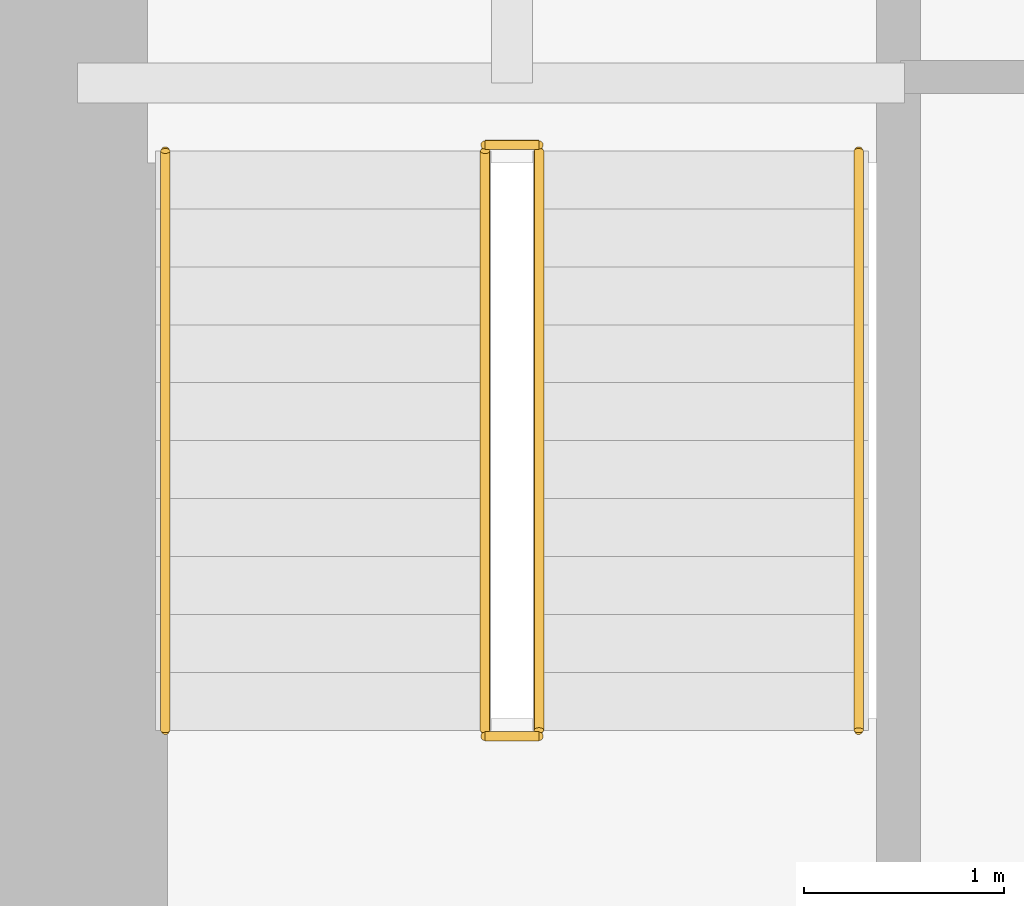
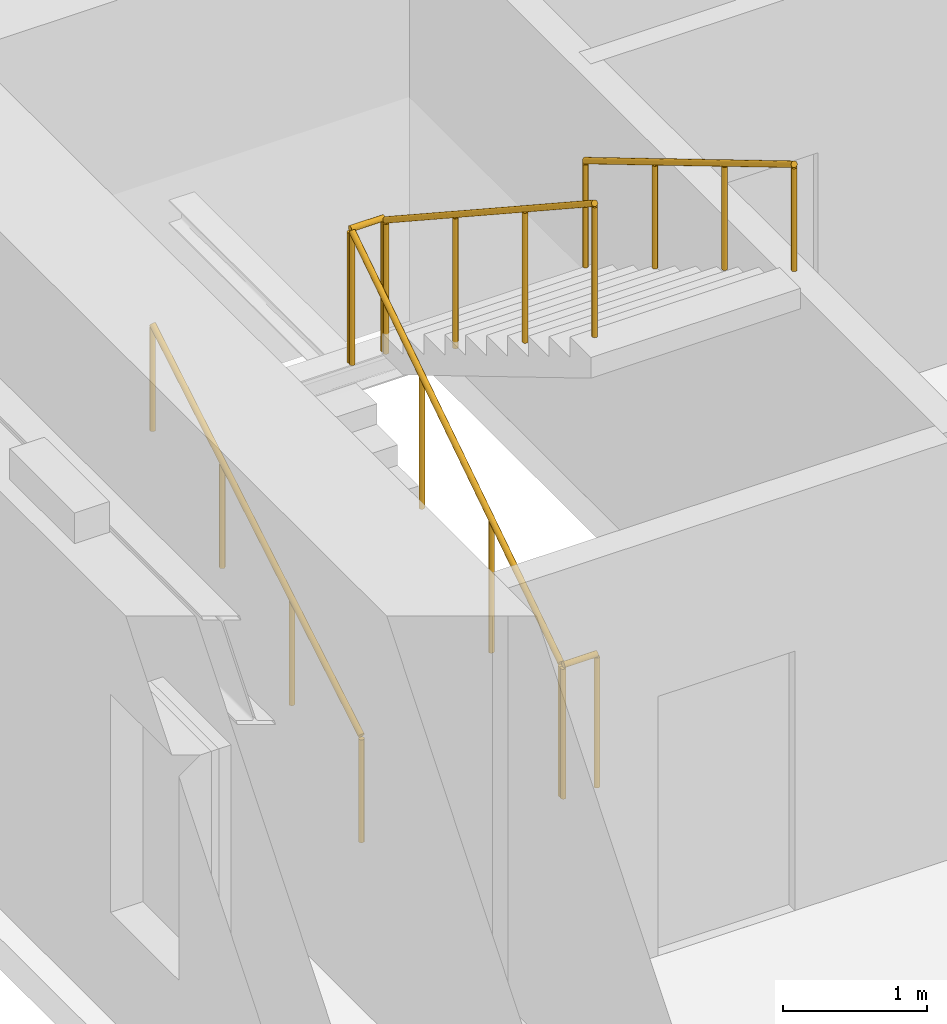
# One storey, part 12 of 14: 6 railings.
"""IFC4 building model written with IfcOpenShell, lengths in metres."""

from ifc_helpers import new_model, si_unit, direction, frame, origin, origin_2d, place, context, subcontext, project, spatial, circle, extrude, material, type_object, element, save


model = new_model("IFC4")

# Units and contexts
model_context = context("Model", 3, precision=1e-05, world=origin(), true_north=direction((0.0, 1.0)))
body_context = subcontext(model_context, "Body", "Model", "MODEL_VIEW")
ifc_project = project(units=[si_unit("LENGTHUNIT", "METRE"), si_unit("AREAUNIT", "SQUARE_METRE"), si_unit("VOLUMEUNIT", "CUBIC_METRE"), si_unit("PLANEANGLEUNIT", "RADIAN"), si_unit("MASSUNIT", "GRAM", prefix="KILO")], contexts=[model_context])

# Site, building, storey
site_placement = place(None, origin())
site = spatial("IfcSite", under=ifc_project, at=site_placement, CompositionType="ELEMENT")
building_placement = place(site_placement, origin())
building = spatial("IfcBuilding", under=site, at=building_placement, Name="Norrvale University Quadrangle", CompositionType="ELEMENT")
storey_placement = place(building_placement, frame((0.0, 0.0, 24.199951171875)))
storey = spatial("IfcBuildingStorey", under=building, at=storey_placement, Name="L05", CompositionType="ELEMENT", Elevation=24.199951171875)

# Railings
ifc_material_1 = material(Name="Steel 350W Painted Balustrade", Category="steel")
railing_type_1 = type_object("IfcRailingType", Name="Railing Stair Guard 1100", PredefinedType="GUARDRAIL", material=ifc_material_1)
for number, where, name in (
    (1, (4.239990234375, 42.02001953125, 0.0), "Stair Floor Well Guard ST-02 L05"),
    (2, (4.239990234375, 44.97998046875, 1.900146484375), "Stair Mid-Landing Slot Guard ST-02 L05"),
):
    element("IfcRailing", number, at=place(storey_placement, frame(where)), inside=storey, type_object=railing_type_1, Name=name, PredefinedType="GUARDRAIL", context=body_context, shape_type="SweptSolid", body=[
        extrude(circle(Radius=0.02392578125, at=origin_2d()), frame((0.0, 0.0, 1.1259765625), z_axis=(1.0, 0.0, 0.0), x_axis=(0.0, 1.0, 0.0)), (0.0, 0.0, 1.0), 0.27001953125),
        extrude(circle(Radius=0.02099609375, at=origin_2d()), origin(), (0.0, 0.0, 1.0), 1.101806640625),
        extrude(circle(Radius=0.02099609375, at=origin_2d()), frame((0.27001953125, 0.0, 0.0)), (0.0, 0.0, 1.0), 1.101806640625),
    ])
railing_1_placement = place(storey_placement, frame((4.239990234375, 42.050048828125, 0.0)))
element("IfcRailing", 3, at=railing_1_placement, inside=storey, type_object=railing_type_1, Name="Stair Lower Flight Inner Guard ST-02 L05", PredefinedType="GUARDRAIL", context=body_context, shape_type="SweptSolid", body=[
    extrude(circle(Radius=0.02392578125, at=origin_2d()), frame((0.0, 0.0, 1.1259765625), z_axis=(0.0, 0.836433300813, 0.548068730445), x_axis=(-1.0, 0.0, 0.0)), (0.0, 0.0, 1.0), 3.467041015625),
    extrude(circle(Radius=0.02099609375, at=origin_2d()), origin(), (0.0, 0.0, 1.0), 1.101806640625),
    extrude(circle(Radius=0.02099609375, at=origin_2d()), frame((0.0, 0.966552734375, 0.63330078125)), (0.0, 0.0, 1.0), 1.101806640625),
    extrude(circle(Radius=0.02099609375, at=origin_2d()), frame((0.0, 1.933349609375, 1.266845703125)), (0.0, 0.0, 1.0), 1.101806640625),
    extrude(circle(Radius=0.02099609375, at=origin_2d()), frame((0.0, 2.89990234375, 1.900146484375)), (0.0, 0.0, 1.0), 1.101806640625),
])
railing_2_placement = place(storey_placement, frame((4.510009765625, 44.949951171875, 1.900146484375)))
element("IfcRailing", 4, at=railing_2_placement, inside=storey, type_object=railing_type_1, Name="Stair Upper Flight Inner Guard ST-02 L05", PredefinedType="GUARDRAIL", context=body_context, shape_type="SweptSolid", body=[
    extrude(circle(Radius=0.02392578125, at=origin_2d()), frame((0.0, 0.0, 1.1259765625), z_axis=(0.0, -0.836465582154, 0.548019461216), x_axis=(1.0, 0.0, 0.0)), (0.0, 0.0, 1.0), 3.466796875),
    extrude(circle(Radius=0.02099609375, at=origin_2d()), origin(), (0.0, 0.0, 1.0), 1.101806640625),
    extrude(circle(Radius=0.02099609375, at=origin_2d()), frame((0.0, -0.966552734375, 0.63330078125)), (0.0, 0.0, 1.0), 1.101806640625),
    extrude(circle(Radius=0.02099609375, at=origin_2d()), frame((0.0, -1.933349609375, 1.2666015625)), (0.0, 0.0, 1.0), 1.101806640625),
    extrude(circle(Radius=0.02099609375, at=origin_2d()), frame((0.0, -2.89990234375, 1.89990234375)), (0.0, 0.0, 1.0), 1.101806640625),
])
ifc_material_2 = material(Name="Stainless Steel 316L Handrail", Category="steel")
railing_type_2 = type_object("IfcRailingType", Name="Railing Stair Handrail 920", PredefinedType="HANDRAIL", material=ifc_material_2)
railing_3_placement = place(storey_placement, frame((2.639892578125, 42.050048828125, 0.1728515625)))
element("IfcRailing", 5, at=railing_3_placement, inside=storey, type_object=railing_type_2, Name="Stair Lower Flight Handrail ST-02 L05", PredefinedType="HANDRAIL", context=body_context, shape_type="SweptSolid", body=[
    extrude(circle(Radius=0.02392578125, at=origin_2d()), frame((0.0, 0.0, 0.89599609375), z_axis=(0.0, 0.859141464434, 0.511738159696), x_axis=(-1.0, 0.0, 0.0)), (0.0, 0.0, 1.0), 3.375244140625),
    extrude(circle(Radius=0.02099609375, at=origin_2d()), origin(), (0.0, 0.0, 1.0), 0.871826171875),
    extrude(circle(Radius=0.02099609375, at=origin_2d()), frame((0.0, 0.966552734375, 0.57568359375)), (0.0, 0.0, 1.0), 0.871826171875),
    extrude(circle(Radius=0.02099609375, at=origin_2d()), frame((0.0, 1.933349609375, 1.151611328125)), (0.0, 0.0, 1.0), 0.871826171875),
    extrude(circle(Radius=0.02099609375, at=origin_2d()), frame((0.0, 2.89990234375, 1.727294921875)), (0.0, 0.0, 1.0), 0.871826171875),
])
railing_4_placement = place(storey_placement, frame((6.110107421875, 44.949951171875, 2.07275390625)))
element("IfcRailing", 6, at=railing_4_placement, inside=storey, type_object=railing_type_2, Name="Stair Upper Flight Handrail ST-02 L05", PredefinedType="HANDRAIL", context=body_context, shape_type="SweptSolid", body=[
    extrude(circle(Radius=0.02392578125, at=origin_2d()), frame((0.0, 0.0, 0.89599609375), z_axis=(0.0, -0.859141464434, 0.511738159696), x_axis=(1.0, 0.0, 0.0)), (0.0, 0.0, 1.0), 3.375244140625),
    extrude(circle(Radius=0.02099609375, at=origin_2d()), origin(), (0.0, 0.0, 1.0), 0.871826171875),
    extrude(circle(Radius=0.02099609375, at=origin_2d()), frame((0.0, -0.966552734375, 0.57568359375)), (0.0, 0.0, 1.0), 0.871826171875),
    extrude(circle(Radius=0.02099609375, at=origin_2d()), frame((0.0, -1.933349609375, 1.151611328125)), (0.0, 0.0, 1.0), 0.871826171875),
    extrude(circle(Radius=0.02099609375, at=origin_2d()), frame((0.0, -2.89990234375, 1.727294921875)), (0.0, 0.0, 1.0), 0.871826171875),
])

save(model, "model.ifc")
